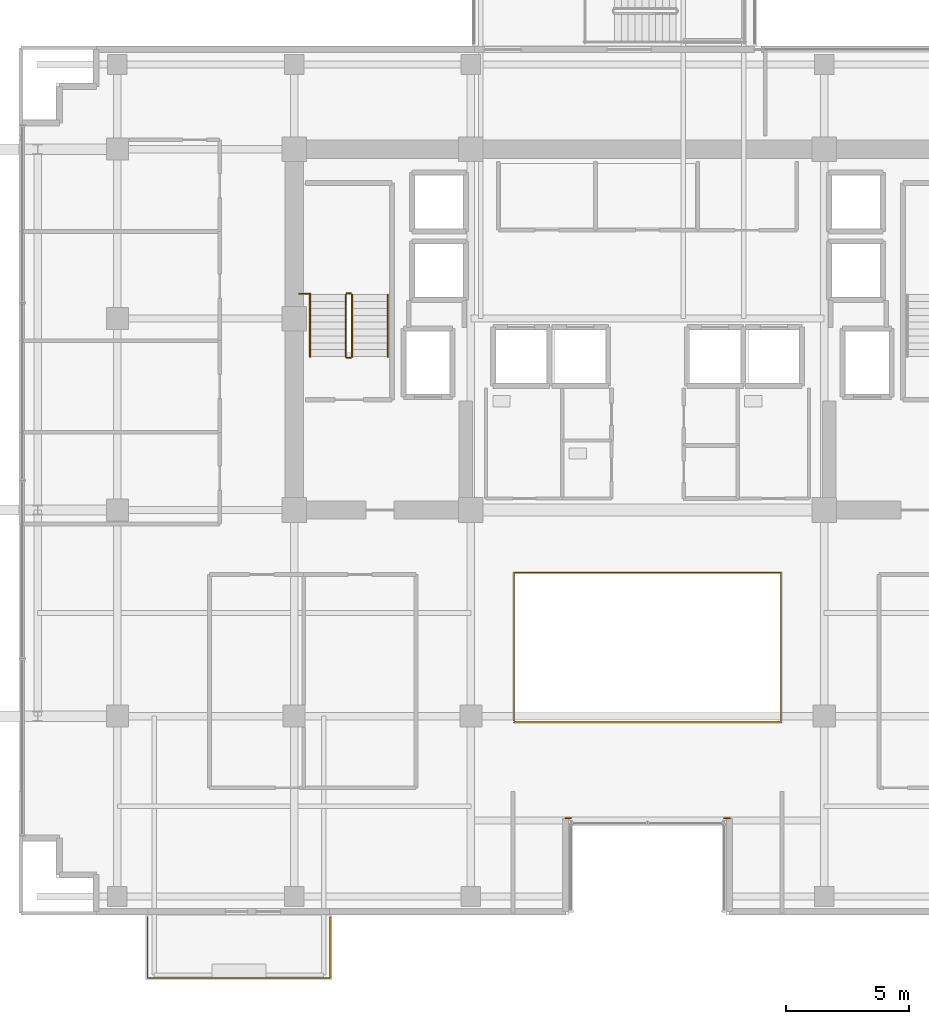
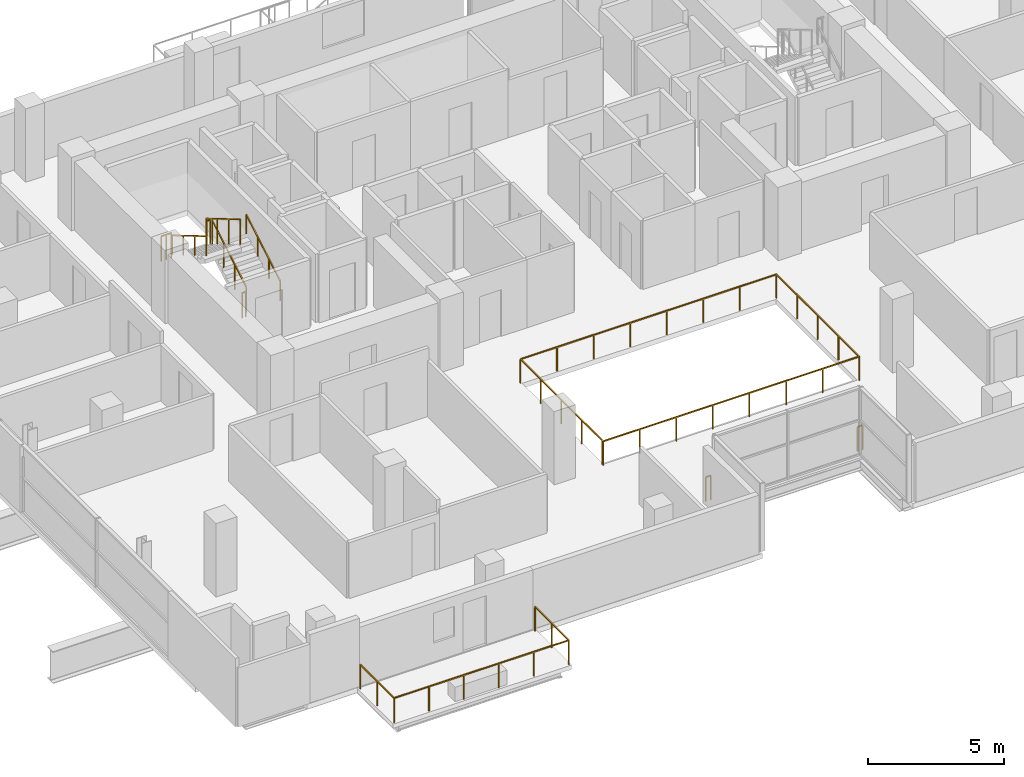
# One storey, part 23 of 27: 11 railings.
"""IFC4 building model written with IfcOpenShell, lengths in metres."""

from ifc_helpers import new_model, si_unit, direction, frame, origin, origin_2d, place, context, subcontext, project, spatial, rectangle, extrude, material, type_object, element, save


model = new_model("IFC4")

# Units and contexts
model_context = context("Model", 3, precision=1e-05, world=origin(), true_north=direction((0.0, 1.0)))
body_context = subcontext(model_context, "Body", "Model", "MODEL_VIEW")
ifc_project = project(units=[si_unit("LENGTHUNIT", "METRE"), si_unit("AREAUNIT", "SQUARE_METRE"), si_unit("VOLUMEUNIT", "CUBIC_METRE"), si_unit("PLANEANGLEUNIT", "RADIAN"), si_unit("MASSUNIT", "GRAM", prefix="KILO")], contexts=[model_context])

# Site, building, storey
site_placement = place(None, origin())
site = spatial("IfcSite", under=ifc_project, at=site_placement, CompositionType="ELEMENT")
building_placement = place(site_placement, origin())
building = spatial("IfcBuilding", under=site, at=building_placement, Name="Zarnakvel Exchange Tower", CompositionType="ELEMENT")
storey_placement = place(building_placement, frame((0.0, 0.0, 113.199951171875)))
storey = spatial("IfcBuildingStorey", under=building, at=storey_placement, Name="L31", CompositionType="ELEMENT", Elevation=113.199951171875)

# Railings
ifc_material_1 = material(Name="Architectural Bronze Anodised Aluminium", Category="aluminium")
railing_type_1 = type_object("IfcRailingType", Name="GR-02", PredefinedType="GUARDRAIL", material=ifc_material_1)
railing_1_placement = place(storey_placement, frame((-20.3701171875, -17.780029296875, -0.034912109375)))
element("IfcRailing", 1, at=railing_1_placement, inside=storey, type_object=railing_type_1, Name="L31 Balcony Guardrail BAL-L31-SW", PredefinedType="GUARDRAIL", context=body_context, shape_type="SweptSolid", body=[
    extrude(rectangle(XDim=0.048095703125, YDim=0.048095703125, at=origin_2d()), frame((0.0, 0.0, 1.09619140625), z_axis=(0.0, -1.0, 0.0), x_axis=(1.0, 0.0, 0.0)), (0.0, 0.0, 1.0), 2.489990234375),
    extrude(rectangle(XDim=0.048095703125, YDim=0.048095703125, at=origin_2d()), frame((0.0, -2.489990234375, 1.09619140625), z_axis=(1.0, 0.0, 0.0), x_axis=(0.0, 1.0, 0.0)), (0.0, 0.0, 1.0), 7.440185546875),
    extrude(rectangle(XDim=0.048095703125, YDim=0.048095703125, at=origin_2d()), frame((7.440185546875, -2.489990234375, 1.09619140625), z_axis=(0.0, 1.0, 0.0), x_axis=(-1.0, 0.0, 0.0)), (0.0, 0.0, 1.0), 2.489990234375),
    extrude(rectangle(XDim=0.0419921875, YDim=0.0419921875, at=origin_2d()), origin(), (0.0, 0.0, 1.0), 1.072021484375),
    extrude(rectangle(XDim=0.0419921875, YDim=0.0419921875, at=origin_2d()), frame((0.0, -1.2451171875, 0.0)), (0.0, 0.0, 1.0), 1.072021484375),
    extrude(rectangle(XDim=0.0419921875, YDim=0.0419921875, at=origin_2d()), frame((0.0, -2.489990234375, 0.0)), (0.0, 0.0, 1.0), 1.072021484375),
    extrude(rectangle(XDim=0.0419921875, YDim=0.0419921875, at=origin_2d()), frame((1.488037109375, -2.489990234375, 0.0)), (0.0, 0.0, 1.0), 1.072021484375),
    extrude(rectangle(XDim=0.0419921875, YDim=0.0419921875, at=origin_2d()), frame((2.97607421875, -2.489990234375, 0.0)), (0.0, 0.0, 1.0), 1.072021484375),
    extrude(rectangle(XDim=0.0419921875, YDim=0.0419921875, at=origin_2d()), frame((4.464111328125, -2.489990234375, 0.0)), (0.0, 0.0, 1.0), 1.072021484375),
    extrude(rectangle(XDim=0.0419921875, YDim=0.0419921875, at=origin_2d()), frame((5.9521484375, -2.489990234375, 0.0)), (0.0, 0.0, 1.0), 1.072021484375),
    extrude(rectangle(XDim=0.0419921875, YDim=0.0419921875, at=origin_2d()), frame((7.440185546875, -2.489990234375, 0.0)), (0.0, 0.0, 1.0), 1.072021484375),
    extrude(rectangle(XDim=0.0419921875, YDim=0.0419921875, at=origin_2d()), frame((7.440185546875, -1.2451171875, 0.0)), (0.0, 0.0, 1.0), 1.072021484375),
    extrude(rectangle(XDim=0.0419921875, YDim=0.0419921875, at=origin_2d()), frame((7.440185546875, 0.0, 0.0)), (0.0, 0.0, 1.0), 1.072021484375),
])
for number, where, name in (
    (2, (3.340087890625, -13.760009765625, 0.0), "L31 Corner Spandrel Balustrade #20"),
    (3, (-3.1201171875, -13.760009765625, 0.0), "L31 Corner Spandrel Balustrade #21"),
):
    element("IfcRailing", number, at=place(storey_placement, frame(where)), inside=storey, type_object=railing_type_1, Name=name, PredefinedType="GUARDRAIL", context=body_context, shape_type="SweptSolid", body=[
        extrude(rectangle(XDim=0.048095703125, YDim=0.048095703125, at=origin_2d()), frame((0.0, 0.0, 1.09619140625), z_axis=(-1.0, 0.0, 0.0), x_axis=(0.0, -1.0, 0.0)), (0.0, 0.0, 1.0), 0.219970703125),
        extrude(rectangle(XDim=0.0419921875, YDim=0.0419921875, at=origin_2d()), origin(), (0.0, 0.0, 1.0), 1.072021484375),
        extrude(rectangle(XDim=0.0419921875, YDim=0.0419921875, at=origin_2d()), frame((-0.219970703125, 0.0, 0.0)), (0.0, 0.0, 1.0), 1.072021484375),
    ])
railing_type_2 = type_object("IfcRailingType", Name="GR-03", PredefinedType="GUARDRAIL", material=ifc_material_1)
railing_2_placement = place(storey_placement, frame((-5.449951171875, -9.85009765625, 0.0)))
element("IfcRailing", 4, at=railing_2_placement, inside=storey, type_object=railing_type_2, Name="L31 Atrium Void Perimeter Balustrade", PredefinedType="GUARDRAIL", context=body_context, shape_type="SweptSolid", body=[
    extrude(rectangle(XDim=0.048095703125, YDim=0.048095703125, at=origin_2d()), frame((0.0, 0.0, 1.076171875), z_axis=(1.0, 0.0, 0.0), x_axis=(0.0, 1.0, 0.0)), (0.0, 0.0, 1.0), 10.89990234375),
    extrude(rectangle(XDim=0.048095703125, YDim=0.048095703125, at=origin_2d()), frame((10.89990234375, 0.0, 1.076171875), z_axis=(0.0, 1.0, 0.0), x_axis=(-1.0, 0.0, 0.0)), (0.0, 0.0, 1.0), 6.10009765625),
    extrude(rectangle(XDim=0.048095703125, YDim=0.048095703125, at=origin_2d()), frame((10.89990234375, 6.10009765625, 1.076171875), z_axis=(-1.0, 0.0, 0.0), x_axis=(0.0, -1.0, 0.0)), (0.0, 0.0, 1.0), 10.89990234375),
    extrude(rectangle(XDim=0.048095703125, YDim=0.048095703125, at=origin_2d()), frame((0.0, 6.10009765625, 1.076171875), z_axis=(0.0, -1.0, 0.0), x_axis=(1.0, 0.0, 0.0)), (0.0, 0.0, 1.0), 6.02001953125),
    extrude(rectangle(XDim=0.0419921875, YDim=0.0419921875, at=origin_2d()), origin(), (0.0, 0.0, 1.0), 1.052001953125),
    extrude(rectangle(XDim=0.0419921875, YDim=0.0419921875, at=origin_2d()), frame((1.55712890625, 0.0, 0.0)), (0.0, 0.0, 1.0), 1.052001953125),
    extrude(rectangle(XDim=0.0419921875, YDim=0.0419921875, at=origin_2d()), frame((3.1142578125, 0.0, 0.0)), (0.0, 0.0, 1.0), 1.052001953125),
    extrude(rectangle(XDim=0.0419921875, YDim=0.0419921875, at=origin_2d()), frame((4.67138671875, 0.0, 0.0)), (0.0, 0.0, 1.0), 1.052001953125),
    extrude(rectangle(XDim=0.0419921875, YDim=0.0419921875, at=origin_2d()), frame((6.228515625, 0.0, 0.0)), (0.0, 0.0, 1.0), 1.052001953125),
    extrude(rectangle(XDim=0.0419921875, YDim=0.0419921875, at=origin_2d()), frame((7.78564453125, 0.0, 0.0)), (0.0, 0.0, 1.0), 1.052001953125),
    extrude(rectangle(XDim=0.0419921875, YDim=0.0419921875, at=origin_2d()), frame((9.3427734375, 0.0, 0.0)), (0.0, 0.0, 1.0), 1.052001953125),
    extrude(rectangle(XDim=0.0419921875, YDim=0.0419921875, at=origin_2d()), frame((10.89990234375, 0.0, 0.0)), (0.0, 0.0, 1.0), 1.052001953125),
    extrude(rectangle(XDim=0.0419921875, YDim=0.0419921875, at=origin_2d()), frame((10.89990234375, 1.52490234375, 0.0)), (0.0, 0.0, 1.0), 1.052001953125),
    extrude(rectangle(XDim=0.0419921875, YDim=0.0419921875, at=origin_2d()), frame((10.89990234375, 3.050048828125, 0.0)), (0.0, 0.0, 1.0), 1.052001953125),
    extrude(rectangle(XDim=0.0419921875, YDim=0.0419921875, at=origin_2d()), frame((10.89990234375, 4.5751953125, 0.0)), (0.0, 0.0, 1.0), 1.052001953125),
    extrude(rectangle(XDim=0.0419921875, YDim=0.0419921875, at=origin_2d()), frame((10.89990234375, 6.10009765625, 0.0)), (0.0, 0.0, 1.0), 1.052001953125),
    extrude(rectangle(XDim=0.0419921875, YDim=0.0419921875, at=origin_2d()), frame((9.3427734375, 6.10009765625, 0.0)), (0.0, 0.0, 1.0), 1.052001953125),
    extrude(rectangle(XDim=0.0419921875, YDim=0.0419921875, at=origin_2d()), frame((7.78564453125, 6.10009765625, 0.0)), (0.0, 0.0, 1.0), 1.052001953125),
    extrude(rectangle(XDim=0.0419921875, YDim=0.0419921875, at=origin_2d()), frame((6.228515625, 6.10009765625, 0.0)), (0.0, 0.0, 1.0), 1.052001953125),
    extrude(rectangle(XDim=0.0419921875, YDim=0.0419921875, at=origin_2d()), frame((4.67138671875, 6.10009765625, 0.0)), (0.0, 0.0, 1.0), 1.052001953125),
    extrude(rectangle(XDim=0.0419921875, YDim=0.0419921875, at=origin_2d()), frame((3.1142578125, 6.10009765625, 0.0)), (0.0, 0.0, 1.0), 1.052001953125),
    extrude(rectangle(XDim=0.0419921875, YDim=0.0419921875, at=origin_2d()), frame((1.55712890625, 6.10009765625, 0.0)), (0.0, 0.0, 1.0), 1.052001953125),
    extrude(rectangle(XDim=0.0419921875, YDim=0.0419921875, at=origin_2d()), frame((0.0, 6.10009765625, 0.0)), (0.0, 0.0, 1.0), 1.052001953125),
    extrude(rectangle(XDim=0.0419921875, YDim=0.0419921875, at=origin_2d()), frame((0.0, 4.59521484375, 0.0)), (0.0, 0.0, 1.0), 1.052001953125),
    extrude(rectangle(XDim=0.0419921875, YDim=0.0419921875, at=origin_2d()), frame((0.0, 3.090087890625, 0.0)), (0.0, 0.0, 1.0), 1.052001953125),
    extrude(rectangle(XDim=0.0419921875, YDim=0.0419921875, at=origin_2d()), frame((0.0, 1.5849609375, 0.0)), (0.0, 0.0, 1.0), 1.052001953125),
    extrude(rectangle(XDim=0.0419921875, YDim=0.0419921875, at=origin_2d()), frame((0.0, 0.080078125, 0.0)), (0.0, 0.0, 1.0), 1.052001953125),
])
ifc_material_2 = material(Name="Brushed Stainless Steel", Category="steel")
railing_type_3 = type_object("IfcRailingType", Name="HR-01", PredefinedType="HANDRAIL", material=ifc_material_2)
railing_3_placement = place(storey_placement, frame((-10.590087890625, 5.050048828125, 0.1650390625)))
element("IfcRailing", 5, at=railing_3_placement, inside=storey, type_object=railing_type_3, Name="L31 ST-01 stair handrail 1", PredefinedType="HANDRAIL", context=body_context, shape_type="SweptSolid", body=[
    extrude(rectangle(XDim=0.048095703125, YDim=0.048095703125, at=origin_2d()), frame((0.0, 0.0, 0.8759765625), z_axis=(0.0, 0.86152411907, 0.507716645641), x_axis=(-1.0, 0.0, 0.0)), (0.0, 0.0, 1.0), 2.925048828125),
    extrude(rectangle(XDim=0.0419921875, YDim=0.0419921875, at=origin_2d()), origin(), (0.0, 0.0, 1.0), 0.851806640625),
    extrude(rectangle(XDim=0.0419921875, YDim=0.0419921875, at=origin_2d()), frame((0.0, 0.840087890625, 0.4951171875)), (0.0, 0.0, 1.0), 0.851806640625),
    extrude(rectangle(XDim=0.0419921875, YDim=0.0419921875, at=origin_2d()), frame((0.0, 1.679931640625, 0.989990234375)), (0.0, 0.0, 1.0), 0.851806640625),
    extrude(rectangle(XDim=0.0419921875, YDim=0.0419921875, at=origin_2d()), frame((0.0, 2.52001953125, 1.485107421875)), (0.0, 0.0, 1.0), 0.851806640625),
])
railing_4_placement = place(storey_placement, frame((-13.75, 7.570068359375, 1.81494140625)))
element("IfcRailing", 6, at=railing_4_placement, inside=storey, type_object=railing_type_3, Name="L31 ST-01 stair handrail 2", PredefinedType="HANDRAIL", context=body_context, shape_type="SweptSolid", body=[
    extrude(rectangle(XDim=0.048095703125, YDim=0.048095703125, at=origin_2d()), frame((0.0, 0.0, 0.8759765625), z_axis=(0.0, -0.86152411907, 0.507716645641), x_axis=(1.0, 0.0, 0.0)), (0.0, 0.0, 1.0), 2.925048828125),
    extrude(rectangle(XDim=0.0419921875, YDim=0.0419921875, at=origin_2d()), origin(), (0.0, 0.0, 1.0), 0.851806640625),
    extrude(rectangle(XDim=0.0419921875, YDim=0.0419921875, at=origin_2d()), frame((0.0, -0.840087890625, 0.4951171875)), (0.0, 0.0, 1.0), 0.851806640625),
    extrude(rectangle(XDim=0.0419921875, YDim=0.0419921875, at=origin_2d()), frame((0.0, -1.679931640625, 0.989990234375)), (0.0, 0.0, 1.0), 0.851806640625),
    extrude(rectangle(XDim=0.0419921875, YDim=0.0419921875, at=origin_2d()), frame((0.0, -2.52001953125, 1.485107421875)), (0.0, 0.0, 1.0), 0.851806640625),
])
railing_type_4 = type_object("IfcRailingType", Name="SG-01", PredefinedType="GUARDRAIL", material=ifc_material_1)
railing_5_placement = place(storey_placement, frame((-12.0400390625, 5.050048828125, 0.1650390625)))
element("IfcRailing", 7, at=railing_5_placement, inside=storey, type_object=railing_type_4, Name="L31 ST-01 stair guard 1", PredefinedType="GUARDRAIL", context=body_context, shape_type="SweptSolid", body=[
    extrude(rectangle(XDim=0.048095703125, YDim=0.048095703125, at=origin_2d()), frame((0.0, 0.0, 1.1259765625), z_axis=(0.0, 0.86152411907, 0.507716645641), x_axis=(-1.0, 0.0, 0.0)), (0.0, 0.0, 1.0), 2.925048828125),
    extrude(rectangle(XDim=0.0419921875, YDim=0.0419921875, at=origin_2d()), origin(), (0.0, 0.0, 1.0), 1.101806640625),
    extrude(rectangle(XDim=0.0419921875, YDim=0.0419921875, at=origin_2d()), frame((0.0, 0.840087890625, 0.4951171875)), (0.0, 0.0, 1.0), 1.101806640625),
    extrude(rectangle(XDim=0.0419921875, YDim=0.0419921875, at=origin_2d()), frame((0.0, 1.679931640625, 0.989990234375)), (0.0, 0.0, 1.0), 1.101806640625),
    extrude(rectangle(XDim=0.0419921875, YDim=0.0419921875, at=origin_2d()), frame((0.0, 2.52001953125, 1.485107421875)), (0.0, 0.0, 1.0), 1.101806640625),
])
railing_6_placement = place(storey_placement, frame((-12.090087890625, 7.6201171875, 1.650146484375)))
element("IfcRailing", 8, at=railing_6_placement, inside=storey, type_object=railing_type_4, Name="L31 ST-01 stair guard 2", PredefinedType="GUARDRAIL", context=body_context, shape_type="SweptSolid", body=[
    extrude(rectangle(XDim=0.048095703125, YDim=0.048095703125, at=origin_2d()), frame((0.0, 0.0, 1.1259765625), z_axis=(-1.0, 0.0, 0.0), x_axis=(0.0, -1.0, 0.0)), (0.0, 0.0, 1.0), 0.159912109375),
    extrude(rectangle(XDim=0.0419921875, YDim=0.0419921875, at=origin_2d()), origin(), (0.0, 0.0, 1.0), 1.101806640625),
    extrude(rectangle(XDim=0.0419921875, YDim=0.0419921875, at=origin_2d()), frame((-0.159912109375, 0.0, 0.0)), (0.0, 0.0, 1.0), 1.101806640625),
])
railing_7_placement = place(storey_placement, frame((-12.300048828125, 7.570068359375, 1.81494140625)))
element("IfcRailing", 9, at=railing_7_placement, inside=storey, type_object=railing_type_4, Name="L31 ST-01 stair guard 3", PredefinedType="GUARDRAIL", context=body_context, shape_type="SweptSolid", body=[
    extrude(rectangle(XDim=0.048095703125, YDim=0.048095703125, at=origin_2d()), frame((0.0, 0.0, 1.1259765625), z_axis=(0.0, -0.86152411907, 0.507716645641), x_axis=(1.0, 0.0, 0.0)), (0.0, 0.0, 1.0), 2.925048828125),
    extrude(rectangle(XDim=0.0419921875, YDim=0.0419921875, at=origin_2d()), origin(), (0.0, 0.0, 1.0), 1.101806640625),
    extrude(rectangle(XDim=0.0419921875, YDim=0.0419921875, at=origin_2d()), frame((0.0, -0.840087890625, 0.4951171875)), (0.0, 0.0, 1.0), 1.101806640625),
    extrude(rectangle(XDim=0.0419921875, YDim=0.0419921875, at=origin_2d()), frame((0.0, -1.679931640625, 0.989990234375)), (0.0, 0.0, 1.0), 1.101806640625),
    extrude(rectangle(XDim=0.0419921875, YDim=0.0419921875, at=origin_2d()), frame((0.0, -2.52001953125, 1.485107421875)), (0.0, 0.0, 1.0), 1.101806640625),
])
railing_8_placement = place(storey_placement, frame((-12.090087890625, 5.0, 0.0)))
element("IfcRailing", 10, at=railing_8_placement, inside=storey, type_object=railing_type_4, Name="L31 ST-01 stair guard 4", PredefinedType="GUARDRAIL", context=body_context, shape_type="SweptSolid", body=[
    extrude(rectangle(XDim=0.048095703125, YDim=0.048095703125, at=origin_2d()), frame((0.0, 0.0, 1.1259765625), z_axis=(-1.0, 0.0, 0.0), x_axis=(0.0, -1.0, 0.0)), (0.0, 0.0, 1.0), 0.159912109375),
    extrude(rectangle(XDim=0.0419921875, YDim=0.0419921875, at=origin_2d()), origin(), (0.0, 0.0, 1.0), 1.101806640625),
    extrude(rectangle(XDim=0.0419921875, YDim=0.0419921875, at=origin_2d()), frame((-0.159912109375, 0.0, 0.0)), (0.0, 0.0, 1.0), 1.101806640625),
])
railing_9_placement = place(storey_placement, frame((-14.179931640625, 7.610107421875, 1.650146484375)))
element("IfcRailing", 11, at=railing_9_placement, inside=storey, type_object=railing_type_4, Name="L31 ST-01 Landing Slot Guardrail", PredefinedType="GUARDRAIL", context=body_context, shape_type="SweptSolid", body=[
    extrude(rectangle(XDim=0.048095703125, YDim=0.048095703125, at=origin_2d()), frame((0.0, 0.0, 1.1259765625), z_axis=(1.0, 0.0, 0.0), x_axis=(0.0, 1.0, 0.0)), (0.0, 0.0, 1.0), 0.429931640625),
    extrude(rectangle(XDim=0.0419921875, YDim=0.0419921875, at=origin_2d()), origin(), (0.0, 0.0, 1.0), 1.101806640625),
    extrude(rectangle(XDim=0.0419921875, YDim=0.0419921875, at=origin_2d()), frame((0.21484375, 0.0, 0.0)), (0.0, 0.0, 1.0), 1.101806640625),
    extrude(rectangle(XDim=0.0419921875, YDim=0.0419921875, at=origin_2d()), frame((0.429931640625, 0.0, 0.0)), (0.0, 0.0, 1.0), 1.101806640625),
])

save(model, "model.ifc")
